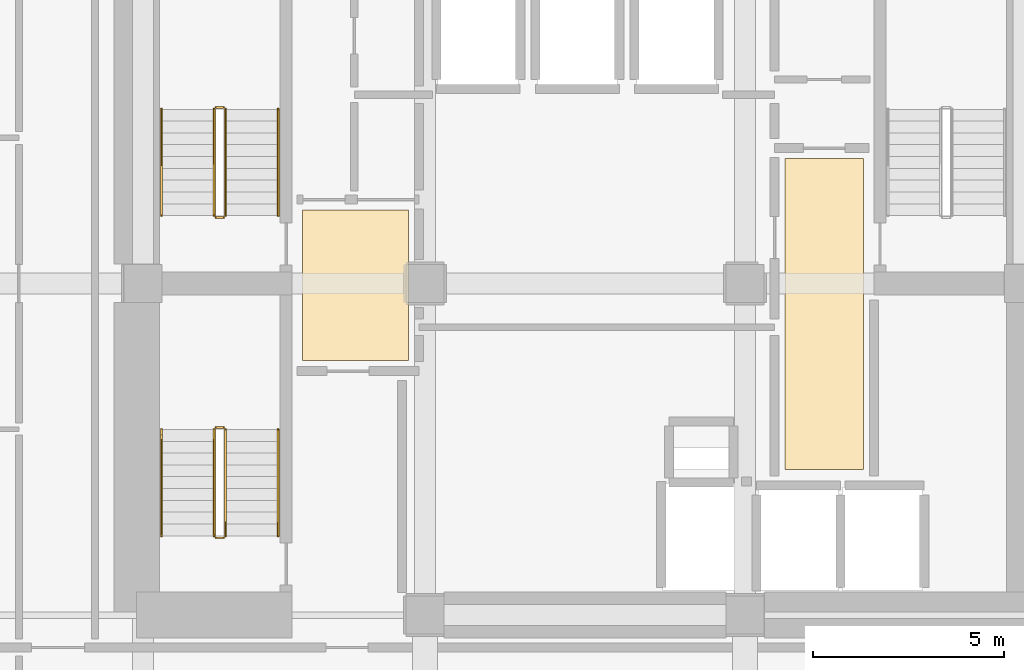
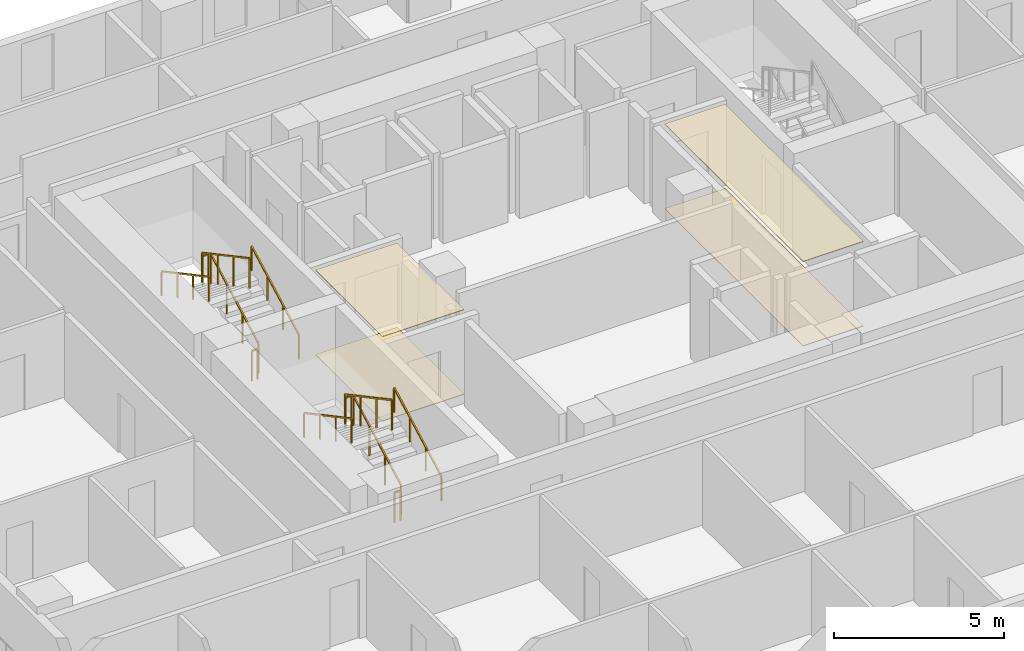
# One storey, part 9 of 11: 12 railings, 4 coverings.
"""IFC4 building model written with IfcOpenShell, lengths in metres."""

from ifc_helpers import new_model, si_unit, direction, frame, origin, origin_2d, place, context, subcontext, project, spatial, polyline, rectangle, outline, extrude, material, layer, layer_set, type_object, element, save


model = new_model("IFC4")

# Units and contexts
model_context = context("Model", 3, precision=1e-05, world=origin(), true_north=direction((0.0, 1.0)))
body_context = subcontext(model_context, "Body", "Model", "MODEL_VIEW")
ifc_project = project(units=[si_unit("LENGTHUNIT", "METRE"), si_unit("AREAUNIT", "SQUARE_METRE"), si_unit("VOLUMEUNIT", "CUBIC_METRE"), si_unit("PLANEANGLEUNIT", "RADIAN"), si_unit("MASSUNIT", "GRAM", prefix="KILO")], contexts=[model_context])

# Site, building, storey
site_placement = place(None, origin())
site = spatial("IfcSite", under=ifc_project, at=site_placement, CompositionType="ELEMENT")
building_placement = place(site_placement, origin())
building = spatial("IfcBuilding", under=site, at=building_placement, Name="Solanera Arch Residences", CompositionType="ELEMENT")
storey_placement = place(building_placement, frame((0.0, 0.0, 35.280029296875)))
storey = spatial("IfcBuildingStorey", under=building, at=storey_placement, Name="L09", CompositionType="ELEMENT", Elevation=35.280029296875)

# Coverings
ifc_material_1 = material(Name="Porcelain Acoustic Floor Tile", Category="ceramic")
ifc_layer_1 = layer(ifc_material_1, 0.02001953125)
ifc_layer_set_1 = layer_set([ifc_layer_1], Name="Porcelain Acoustic Floor Tile")
covering_type_1 = type_object("IfcCoveringType", Name="Porcelain Acoustic Floor Finish FLR-20", PredefinedType="FLOORING", material=ifc_layer_set_1)
covering_1_placement = place(storey_placement, origin())
element("IfcCovering", 1, at=covering_1_placement, inside=storey, type_object=covering_type_1, Name="L09-FFL-W Porcelain Floor Finish", PredefinedType="FLOORING", context=body_context, shape_type="SweptSolid", body=[
    extrude(outline(polyline([(20.375, 28.675048828125), (17.594970703125, 28.675048828125), (17.594970703125, 32.625), (20.375, 32.625), (20.375, 28.675048828125)])), origin(), (0.0, 0.0, 1.0), 0.02001953125),
])
covering_2_placement = place(storey_placement, origin())
element("IfcCovering", 2, at=covering_2_placement, inside=storey, type_object=covering_type_1, Name="L09-FFL-E Porcelain Floor Finish", PredefinedType="FLOORING", context=body_context, shape_type="SweptSolid", body=[
    extrude(outline(polyline([(32.304931640625, 25.824951171875), (30.25, 25.824951171875), (30.25, 33.97509765625), (32.304931640625, 33.97509765625), (32.304931640625, 25.824951171875)])), origin(), (0.0, 0.0, 1.0), 0.02001953125),
])

# Railings
ifc_material_2 = material(Name="Steel S355 (ASTM A992 / A572 Grade 50)", Category="steel")
railing_type_1 = type_object("IfcRailingType", Name="Stair Guardrail GR-1100", PredefinedType="GUARDRAIL", material=ifc_material_2)
railing_1_placement = place(storey_placement, frame((15.570068359375, 32.47998046875, 0.15087890625)))
element("IfcRailing", 3, at=railing_1_placement, inside=storey, type_object=railing_type_1, Name="L09 ST-T1 stair guard 1", PredefinedType="GUARDRAIL", context=body_context, shape_type="SweptSolid", body=[
    extrude(rectangle(XDim=0.048095703125, YDim=0.048095703125, at=origin_2d()), frame((0.0, 0.0, 1.076171875), z_axis=(0.0, 0.881548766853, 0.472092969298), x_axis=(-1.0, 0.0, 0.0)), (0.0, 0.0, 1.0), 3.1650390625),
    extrude(rectangle(XDim=0.0419921875, YDim=0.0419921875, at=origin_2d()), origin(), (0.0, 0.0, 1.0), 1.052001953125),
    extrude(rectangle(XDim=0.0419921875, YDim=0.0419921875, at=origin_2d()), frame((0.0, 0.929931640625, 0.498046875)), (0.0, 0.0, 1.0), 1.052001953125),
    extrude(rectangle(XDim=0.0419921875, YDim=0.0419921875, at=origin_2d()), frame((0.0, 1.860107421875, 0.99609375)), (0.0, 0.0, 1.0), 1.052001953125),
    extrude(rectangle(XDim=0.0419921875, YDim=0.0419921875, at=origin_2d()), frame((0.0, 2.7900390625, 1.494140625)), (0.0, 0.0, 1.0), 1.052001953125),
])
railing_2_placement = place(storey_placement, frame((15.52001953125, 35.320068359375, 1.64501953125)))
element("IfcRailing", 4, at=railing_2_placement, inside=storey, type_object=railing_type_1, Name="L09 ST-T1 stair guard 2", PredefinedType="GUARDRAIL", context=body_context, shape_type="SweptSolid", body=[
    extrude(rectangle(XDim=0.048095703125, YDim=0.048095703125, at=origin_2d()), frame((0.0, 0.0, 1.076171875), z_axis=(-1.0, 0.0, 0.0), x_axis=(0.0, -1.0, 0.0)), (0.0, 0.0, 1.0), 0.199951171875),
    extrude(rectangle(XDim=0.0419921875, YDim=0.0419921875, at=origin_2d()), origin(), (0.0, 0.0, 1.0), 1.052001953125),
    extrude(rectangle(XDim=0.0419921875, YDim=0.0419921875, at=origin_2d()), frame((-0.199951171875, 0.0, 0.0)), (0.0, 0.0, 1.0), 1.052001953125),
])
railing_3_placement = place(storey_placement, frame((15.27001953125, 35.27001953125, 1.81103515625)))
element("IfcRailing", 5, at=railing_3_placement, inside=storey, type_object=railing_type_1, Name="L09 ST-T1 stair guard 3", PredefinedType="GUARDRAIL", context=body_context, shape_type="SweptSolid", body=[
    extrude(rectangle(XDim=0.048095703125, YDim=0.048095703125, at=origin_2d()), frame((0.0, 0.0, 1.076171875), z_axis=(0.0, -0.881580869306, 0.472033018838), x_axis=(1.0, 0.0, 0.0)), (0.0, 0.0, 1.0), 3.164794921875),
    extrude(rectangle(XDim=0.0419921875, YDim=0.0419921875, at=origin_2d()), origin(), (0.0, 0.0, 1.0), 1.052001953125),
    extrude(rectangle(XDim=0.0419921875, YDim=0.0419921875, at=origin_2d()), frame((0.0, -0.929931640625, 0.498046875)), (0.0, 0.0, 1.0), 1.052001953125),
    extrude(rectangle(XDim=0.0419921875, YDim=0.0419921875, at=origin_2d()), frame((0.0, -1.860107421875, 0.995849609375)), (0.0, 0.0, 1.0), 1.052001953125),
    extrude(rectangle(XDim=0.0419921875, YDim=0.0419921875, at=origin_2d()), frame((0.0, -2.7900390625, 1.493896484375)), (0.0, 0.0, 1.0), 1.052001953125),
])
railing_4_placement = place(storey_placement, frame((15.52001953125, 32.429931640625, -0.01513671875)))
element("IfcRailing", 6, at=railing_4_placement, inside=storey, type_object=railing_type_1, Name="L09 ST-T1 stair guard 4", PredefinedType="GUARDRAIL", context=body_context, shape_type="SweptSolid", body=[
    extrude(rectangle(XDim=0.048095703125, YDim=0.048095703125, at=origin_2d()), frame((0.0, 0.0, 1.076171875), z_axis=(-1.0, 0.0, 0.0), x_axis=(0.0, -1.0, 0.0)), (0.0, 0.0, 1.0), 0.199951171875),
    extrude(rectangle(XDim=0.0419921875, YDim=0.0419921875, at=origin_2d()), origin(), (0.0, 0.0, 1.0), 1.052001953125),
    extrude(rectangle(XDim=0.0419921875, YDim=0.0419921875, at=origin_2d()), frame((-0.199951171875, 0.0, 0.0)), (0.0, 0.0, 1.0), 1.052001953125),
])
railing_5_placement = place(storey_placement, frame((15.570068359375, 24.080078125, 0.15087890625)))
element("IfcRailing", 7, at=railing_5_placement, inside=storey, type_object=railing_type_1, Name="L09 ST-T3 stair guard 1", PredefinedType="GUARDRAIL", context=body_context, shape_type="SweptSolid", body=[
    extrude(rectangle(XDim=0.048095703125, YDim=0.048095703125, at=origin_2d()), frame((0.0, 0.0, 1.076171875), z_axis=(0.0, 0.881548766853, 0.472092969298), x_axis=(-1.0, 0.0, 0.0)), (0.0, 0.0, 1.0), 3.1650390625),
    extrude(rectangle(XDim=0.0419921875, YDim=0.0419921875, at=origin_2d()), origin(), (0.0, 0.0, 1.0), 1.052001953125),
    extrude(rectangle(XDim=0.0419921875, YDim=0.0419921875, at=origin_2d()), frame((0.0, 0.929931640625, 0.498046875)), (0.0, 0.0, 1.0), 1.052001953125),
    extrude(rectangle(XDim=0.0419921875, YDim=0.0419921875, at=origin_2d()), frame((0.0, 1.860107421875, 0.99609375)), (0.0, 0.0, 1.0), 1.052001953125),
    extrude(rectangle(XDim=0.0419921875, YDim=0.0419921875, at=origin_2d()), frame((0.0, 2.7900390625, 1.494140625)), (0.0, 0.0, 1.0), 1.052001953125),
])
railing_6_placement = place(storey_placement, frame((15.52001953125, 26.919921875, 1.64501953125)))
element("IfcRailing", 8, at=railing_6_placement, inside=storey, type_object=railing_type_1, Name="L09 ST-T3 stair guard 2", PredefinedType="GUARDRAIL", context=body_context, shape_type="SweptSolid", body=[
    extrude(rectangle(XDim=0.048095703125, YDim=0.048095703125, at=origin_2d()), frame((0.0, 0.0, 1.076171875), z_axis=(-1.0, 0.0, 0.0), x_axis=(0.0, -1.0, 0.0)), (0.0, 0.0, 1.0), 0.199951171875),
    extrude(rectangle(XDim=0.0419921875, YDim=0.0419921875, at=origin_2d()), origin(), (0.0, 0.0, 1.0), 1.052001953125),
    extrude(rectangle(XDim=0.0419921875, YDim=0.0419921875, at=origin_2d()), frame((-0.199951171875, 0.0, 0.0)), (0.0, 0.0, 1.0), 1.052001953125),
])
railing_7_placement = place(storey_placement, frame((15.27001953125, 26.8701171875, 1.81103515625)))
element("IfcRailing", 9, at=railing_7_placement, inside=storey, type_object=railing_type_1, Name="L09 ST-T3 stair guard 3", PredefinedType="GUARDRAIL", context=body_context, shape_type="SweptSolid", body=[
    extrude(rectangle(XDim=0.048095703125, YDim=0.048095703125, at=origin_2d()), frame((0.0, 0.0, 1.076171875), z_axis=(0.0, -0.881580869306, 0.472033018838), x_axis=(1.0, 0.0, 0.0)), (0.0, 0.0, 1.0), 3.164794921875),
    extrude(rectangle(XDim=0.0419921875, YDim=0.0419921875, at=origin_2d()), origin(), (0.0, 0.0, 1.0), 1.052001953125),
    extrude(rectangle(XDim=0.0419921875, YDim=0.0419921875, at=origin_2d()), frame((0.0, -0.929931640625, 0.498046875)), (0.0, 0.0, 1.0), 1.052001953125),
    extrude(rectangle(XDim=0.0419921875, YDim=0.0419921875, at=origin_2d()), frame((0.0, -1.860107421875, 0.995849609375)), (0.0, 0.0, 1.0), 1.052001953125),
    extrude(rectangle(XDim=0.0419921875, YDim=0.0419921875, at=origin_2d()), frame((0.0, -2.7900390625, 1.493896484375)), (0.0, 0.0, 1.0), 1.052001953125),
])
railing_8_placement = place(storey_placement, frame((15.52001953125, 24.030029296875, -0.01513671875)))
element("IfcRailing", 10, at=railing_8_placement, inside=storey, type_object=railing_type_1, Name="L09 ST-T3 stair guard 4", PredefinedType="GUARDRAIL", context=body_context, shape_type="SweptSolid", body=[
    extrude(rectangle(XDim=0.048095703125, YDim=0.048095703125, at=origin_2d()), frame((0.0, 0.0, 1.076171875), z_axis=(-1.0, 0.0, 0.0), x_axis=(0.0, -1.0, 0.0)), (0.0, 0.0, 1.0), 0.199951171875),
    extrude(rectangle(XDim=0.0419921875, YDim=0.0419921875, at=origin_2d()), origin(), (0.0, 0.0, 1.0), 1.052001953125),
    extrude(rectangle(XDim=0.0419921875, YDim=0.0419921875, at=origin_2d()), frame((-0.199951171875, 0.0, 0.0)), (0.0, 0.0, 1.0), 1.052001953125),
])
ifc_material_3 = material(Name="Steel S355 (ASTM A992 / A572 Grade 50)", Category="steel")
railing_type_2 = type_object("IfcRailingType", Name="Stair Wall Handrail HR-920", PredefinedType="HANDRAIL", material=ifc_material_3)
railing_9_placement = place(storey_placement, frame((16.949951171875, 32.47998046875, 0.166015625)))
element("IfcRailing", 11, at=railing_9_placement, inside=storey, type_object=railing_type_2, Name="L09 ST-T1 stair handrail 1", PredefinedType="HANDRAIL", context=body_context, shape_type="SweptSolid", body=[
    extrude(rectangle(XDim=0.048095703125, YDim=0.048095703125, at=origin_2d()), frame((0.0, 0.0, 0.8759765625), z_axis=(0.0, 0.881580869306, 0.472033018838), x_axis=(-1.0, 0.0, 0.0)), (0.0, 0.0, 1.0), 3.164794921875),
    extrude(rectangle(XDim=0.0419921875, YDim=0.0419921875, at=origin_2d()), origin(), (0.0, 0.0, 1.0), 0.851806640625),
    extrude(rectangle(XDim=0.0419921875, YDim=0.0419921875, at=origin_2d()), frame((0.0, 0.929931640625, 0.498046875)), (0.0, 0.0, 1.0), 0.851806640625),
    extrude(rectangle(XDim=0.0419921875, YDim=0.0419921875, at=origin_2d()), frame((0.0, 1.860107421875, 0.995849609375)), (0.0, 0.0, 1.0), 0.851806640625),
    extrude(rectangle(XDim=0.0419921875, YDim=0.0419921875, at=origin_2d()), frame((0.0, 2.7900390625, 1.493896484375)), (0.0, 0.0, 1.0), 0.851806640625),
])
railing_10_placement = place(storey_placement, frame((13.889892578125, 35.27001953125, 1.825927734375)))
element("IfcRailing", 12, at=railing_10_placement, inside=storey, type_object=railing_type_2, Name="L09 ST-T1 stair handrail 2", PredefinedType="HANDRAIL", context=body_context, shape_type="SweptSolid", body=[
    extrude(rectangle(XDim=0.048095703125, YDim=0.048095703125, at=origin_2d()), frame((0.0, 0.0, 0.8759765625), z_axis=(0.0, -0.881548766853, 0.472092969298), x_axis=(1.0, 0.0, 0.0)), (0.0, 0.0, 1.0), 3.1650390625),
    extrude(rectangle(XDim=0.0419921875, YDim=0.0419921875, at=origin_2d()), origin(), (0.0, 0.0, 1.0), 0.851806640625),
    extrude(rectangle(XDim=0.0419921875, YDim=0.0419921875, at=origin_2d()), frame((0.0, -0.929931640625, 0.498046875)), (0.0, 0.0, 1.0), 0.851806640625),
    extrude(rectangle(XDim=0.0419921875, YDim=0.0419921875, at=origin_2d()), frame((0.0, -1.860107421875, 0.99609375)), (0.0, 0.0, 1.0), 0.851806640625),
    extrude(rectangle(XDim=0.0419921875, YDim=0.0419921875, at=origin_2d()), frame((0.0, -2.7900390625, 1.494140625)), (0.0, 0.0, 1.0), 0.851806640625),
])
railing_11_placement = place(storey_placement, frame((16.949951171875, 24.080078125, 0.166015625)))
element("IfcRailing", 13, at=railing_11_placement, inside=storey, type_object=railing_type_2, Name="L09 ST-T3 stair handrail 1", PredefinedType="HANDRAIL", context=body_context, shape_type="SweptSolid", body=[
    extrude(rectangle(XDim=0.048095703125, YDim=0.048095703125, at=origin_2d()), frame((0.0, 0.0, 0.8759765625), z_axis=(0.0, 0.881580869306, 0.472033018838), x_axis=(-1.0, 0.0, 0.0)), (0.0, 0.0, 1.0), 3.164794921875),
    extrude(rectangle(XDim=0.0419921875, YDim=0.0419921875, at=origin_2d()), origin(), (0.0, 0.0, 1.0), 0.851806640625),
    extrude(rectangle(XDim=0.0419921875, YDim=0.0419921875, at=origin_2d()), frame((0.0, 0.929931640625, 0.498046875)), (0.0, 0.0, 1.0), 0.851806640625),
    extrude(rectangle(XDim=0.0419921875, YDim=0.0419921875, at=origin_2d()), frame((0.0, 1.860107421875, 0.995849609375)), (0.0, 0.0, 1.0), 0.851806640625),
    extrude(rectangle(XDim=0.0419921875, YDim=0.0419921875, at=origin_2d()), frame((0.0, 2.7900390625, 1.493896484375)), (0.0, 0.0, 1.0), 0.851806640625),
])
railing_12_placement = place(storey_placement, frame((13.889892578125, 26.8701171875, 1.825927734375)))
element("IfcRailing", 14, at=railing_12_placement, inside=storey, type_object=railing_type_2, Name="L09 ST-T3 stair handrail 2", PredefinedType="HANDRAIL", context=body_context, shape_type="SweptSolid", body=[
    extrude(rectangle(XDim=0.048095703125, YDim=0.048095703125, at=origin_2d()), frame((0.0, 0.0, 0.8759765625), z_axis=(0.0, -0.881548766853, 0.472092969298), x_axis=(1.0, 0.0, 0.0)), (0.0, 0.0, 1.0), 3.1650390625),
    extrude(rectangle(XDim=0.0419921875, YDim=0.0419921875, at=origin_2d()), origin(), (0.0, 0.0, 1.0), 0.851806640625),
    extrude(rectangle(XDim=0.0419921875, YDim=0.0419921875, at=origin_2d()), frame((0.0, -0.929931640625, 0.498046875)), (0.0, 0.0, 1.0), 0.851806640625),
    extrude(rectangle(XDim=0.0419921875, YDim=0.0419921875, at=origin_2d()), frame((0.0, -1.860107421875, 0.99609375)), (0.0, 0.0, 1.0), 0.851806640625),
    extrude(rectangle(XDim=0.0419921875, YDim=0.0419921875, at=origin_2d()), frame((0.0, -2.7900390625, 1.494140625)), (0.0, 0.0, 1.0), 0.851806640625),
])

# Coverings
ifc_material_4 = material(Name="Mineral Fibre Acoustic Ceiling Board", Category="gypsum")
ifc_layer_2 = layer(ifc_material_4, 0.02490234375)
ifc_layer_set_2 = layer_set([ifc_layer_2], Name="Mineral Fibre Acoustic Ceiling Board")
covering_type_2 = type_object("IfcCoveringType", Name="Suspended Acoustic Ceiling Board CLG-25", PredefinedType="CEILING", material=ifc_layer_set_2)
covering_3_placement = place(storey_placement, frame((0.0, 0.0, 3.034912109375)))
element("IfcCovering", 15, at=covering_3_placement, inside=storey, type_object=covering_type_2, Name="L09-FFL-W Acoustic Ceiling", PredefinedType="CEILING", context=body_context, shape_type="SweptSolid", body=[
    extrude(outline(polyline([(20.375, 28.675048828125), (17.594970703125, 28.675048828125), (17.594970703125, 32.625), (20.375, 32.625), (20.375, 28.675048828125)])), origin(), (0.0, 0.0, 1.0), 0.025146484375),
])
covering_4_placement = place(storey_placement, frame((0.0, 0.0, 3.034912109375)))
element("IfcCovering", 16, at=covering_4_placement, inside=storey, type_object=covering_type_2, Name="L09-FFL-E Acoustic Ceiling", PredefinedType="CEILING", context=body_context, shape_type="SweptSolid", body=[
    extrude(outline(polyline([(32.304931640625, 25.824951171875), (30.25, 25.824951171875), (30.25, 33.97509765625), (32.304931640625, 33.97509765625), (32.304931640625, 25.824951171875)])), origin(), (0.0, 0.0, 1.0), 0.025146484375),
])

save(model, "model.ifc")
